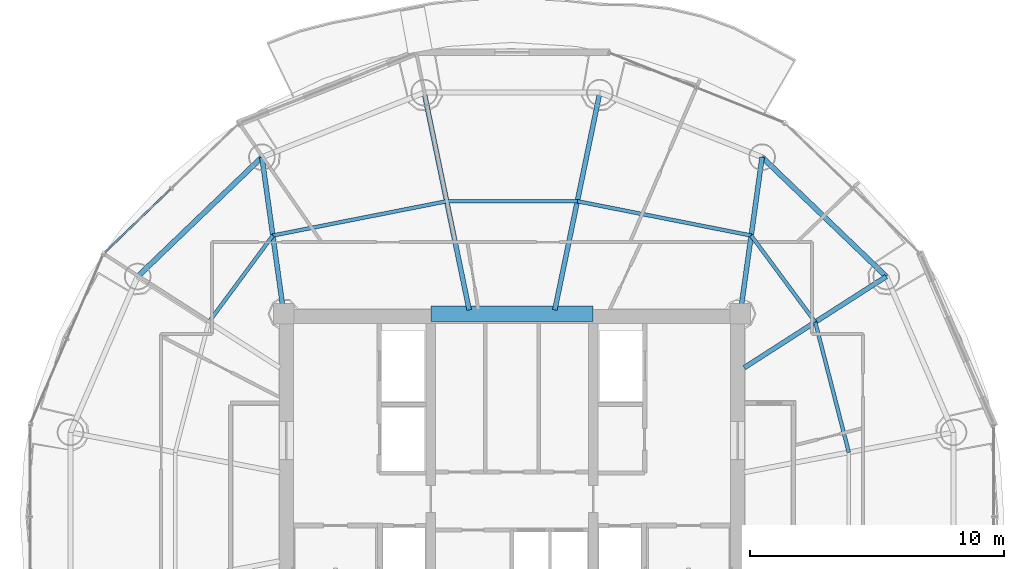
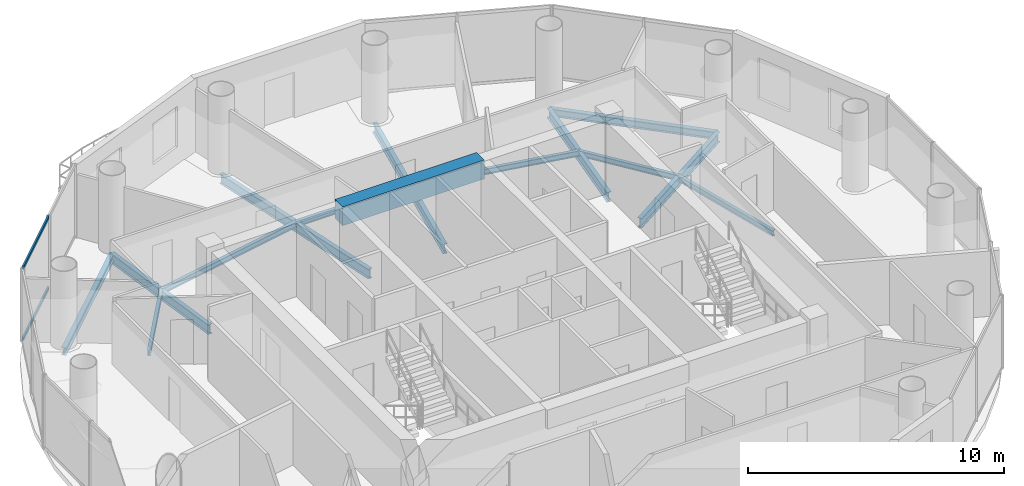
# One storey, part 9 of 23: 14 beams, 2 members, 1 element without a shape of its own.
"""IFC4 building model written with IfcOpenShell, lengths in metres."""

from ifc_helpers import new_model, si_unit, direction, frame, origin, origin_2d, place, context, subcontext, project, spatial, rectangle, hollow_rectangle, i_section, extrude, source, transform, mapped, material, material_profile, profile_set, type_object, element, aggregate, save


model = new_model("IFC4")

# Units and contexts
model_context = context("Model", 3, precision=1e-05, world=origin(), true_north=direction((-0.2419218956, 0.970295726276)))
body_context = subcontext(model_context, "Body", "Model", "MODEL_VIEW")
ifc_project = project(units=[si_unit("LENGTHUNIT", "METRE"), si_unit("AREAUNIT", "SQUARE_METRE"), si_unit("VOLUMEUNIT", "CUBIC_METRE"), si_unit("PLANEANGLEUNIT", "RADIAN"), si_unit("MASSUNIT", "GRAM", prefix="KILO")], contexts=[model_context])

# Site, building, storey
site_placement = place(None, origin())
site = spatial("IfcSite", under=ifc_project, at=site_placement, CompositionType="ELEMENT")
building_placement = place(site_placement, origin())
building = spatial("IfcBuilding", under=site, at=building_placement, Name="Cobrevalo Terracotta Tower", CompositionType="ELEMENT")
storey_placement = place(building_placement, frame((0.0, 0.0, 251.949951171875)))
storey = spatial("IfcBuildingStorey", under=building, at=storey_placement, Name="L66", CompositionType="ELEMENT", Elevation=251.949951171875)

# Beams
ifc_material_1 = material(Name="Concrete C60", Category="concrete")
ifc_material_profile_1 = material_profile(ifc_material_1, rectangle(XDim=0.60009765625, YDim=0.89990234375, at=origin_2d()), Name="RC CB 600x900")
ifc_profile_set_1 = profile_set([ifc_material_profile_1], Name="Concrete C60")
beam_type_1 = type_object("IfcBeamType", Name="Structural Beam RC CB 600x900 (Concrete C60)", PredefinedType="BEAM", material=ifc_profile_set_1)
beam_1_placement = place(storey_placement, frame((34.800048828125, 34.800048828125, 3.0400390625), z_axis=(1.0, 0.0, 0.0), x_axis=(0.0, 1.0, 0.0)))
element("IfcBeam", 1, at=beam_1_placement, inside=storey, type_object=beam_type_1, Name="L66 core coupling beam 2", PredefinedType="BEAM", context=body_context, shape_type="SweptSolid", body=[
    extrude(rectangle(XDim=0.60009765625, YDim=0.89990234375, at=origin_2d()), origin(), (0.0, 0.0, 1.0), 6.39990234375),
])
ifc_material_2 = material(Name="Steel S355", Category="steel")
ifc_material_profile_2 = material_profile(ifc_material_2, i_section(OverallWidth=0.19091796875, OverallDepth=0.4599609375, WebThickness=0.010009765625, FlangeThickness=0.01611328125, at=origin_2d()), Name="W 460x82")
ifc_profile_set_2 = profile_set([ifc_material_profile_2], Name="Steel S355")
beam_type_2 = type_object("IfcBeamType", Name="Structural Beam W 460x82 (Steel S355)", PredefinedType="BEAM", material=ifc_profile_set_2)
beam_2_placement = place(storey_placement, frame((52.758544921875, 36.2724609375, -0.489990234375), z_axis=(-0.84157615512, -0.540138477739, 0.0), x_axis=(0.540138477739, -0.84157615512, 0.0)))
element("IfcBeam", 2, at=beam_2_placement, inside=storey, type_object=beam_type_2, Name="L66 radial floor girder 02", PredefinedType="BEAM", context=body_context, shape_type="SweptSolid", body=[
    extrude(i_section(OverallWidth=0.19091796875, OverallDepth=0.4599609375, WebThickness=0.010009765625, FlangeThickness=0.01611328125, at=origin_2d()), origin(), (0.0, 0.0, 1.0), 6.658447265625),
])
beam_3_placement = place(storey_placement, frame((47.861328125, 40.9765625, -0.489990234375), z_axis=(-0.138115657759, -0.990416107039, 0.0), x_axis=(0.990416107039, -0.138115657759, 0.0)))
element("IfcBeam", 3, at=beam_3_placement, inside=storey, type_object=beam_type_2, Name="L66 radial floor girder 03", PredefinedType="BEAM", context=body_context, shape_type="SweptSolid", body=[
    extrude(i_section(OverallWidth=0.19091796875, OverallDepth=0.4599609375, WebThickness=0.010009765625, FlangeThickness=0.01611328125, at=origin_2d()), origin(), (0.0, 0.0, 1.0), 6.236328125),
])
for number, where, z_axis, x_axis, name in (
    (4, (41.462890625, 43.5224609375, -0.489990234375), (-0.202781841237, -0.9792239401, 0.0), (0.9792239401, -0.202781841237, 0.0), "L66 radial floor girder 04"),
    (5, (34.537109375, 43.5224609375, -0.489990234375), (0.202781841237, -0.9792239401, 0.0), (0.9792239401, 0.202781841237, 0.0), "L66 radial floor girder 05"),
):
    element("IfcBeam", number, at=place(storey_placement, frame(where, z_axis=z_axis, x_axis=x_axis)), inside=storey, type_object=beam_type_2, Name=name, PredefinedType="BEAM", context=body_context, shape_type="SweptSolid", body=[
        extrude(i_section(OverallWidth=0.19091796875, OverallDepth=0.4599609375, WebThickness=0.010009765625, FlangeThickness=0.01611328125, at=origin_2d()), origin(), (0.0, 0.0, 1.0), 8.749267578125),
    ])
beam_4_placement = place(storey_placement, frame((28.138671875, 40.9765625, -0.489990234375), z_axis=(0.138115657759, -0.990416107039, 0.0), x_axis=(0.990416107039, 0.138115657759, 0.0)))
element("IfcBeam", 6, at=beam_4_placement, inside=storey, type_object=beam_type_2, Name="L66 radial floor girder 06", PredefinedType="BEAM", context=body_context, shape_type="SweptSolid", body=[
    extrude(i_section(OverallWidth=0.19091796875, OverallDepth=0.4599609375, WebThickness=0.010009765625, FlangeThickness=0.01611328125, at=origin_2d()), origin(), (0.0, 0.0, 1.0), 6.236328125),
])
ifc_material_profile_3 = material_profile(ifc_material_2, i_section(OverallWidth=0.14794921875, OverallDepth=0.26611328125, WebThickness=0.007568359375, FlangeThickness=0.012939453125, at=origin_2d()), Name="W 250x44.8")
ifc_profile_set_3 = profile_set([ifc_material_profile_3], Name="Steel S355")
beam_type_3 = type_object("IfcBeamType", Name="Structural Joist W 250x44.8 (Steel S355)", PredefinedType="JOIST", material=ifc_profile_set_3)
beam_5_placement = place(storey_placement, frame((51.281982421875, 29.337646484375, -0.39306640625), z_axis=(-0.249816773293, 0.968293126993, 0.0), x_axis=(-0.968293126993, -0.249816773293, 0.0)))
element("IfcBeam", 7, at=beam_5_placement, inside=storey, type_object=beam_type_3, Name="L66 circumferential secondary floor joist 01", PredefinedType="JOIST", context=body_context, shape_type="SweptSolid", body=[
    extrude(i_section(OverallWidth=0.14794921875, OverallDepth=0.26611328125, WebThickness=0.007568359375, FlangeThickness=0.012939453125, at=origin_2d()), origin(), (0.0, 0.0, 1.0), 5.3046875),
])
beam_6_placement = place(storey_placement, frame((49.956787109375, 34.47412109375, -0.39306640625), z_axis=(-0.594799916617, 0.803873783123, 0.0), x_axis=(-0.803873783123, -0.594799916617, 0.0)))
element("IfcBeam", 8, at=beam_6_placement, inside=storey, type_object=beam_type_3, Name="L66 circumferential secondary floor joist 02", PredefinedType="JOIST", context=body_context, shape_type="SweptSolid", body=[
    extrude(i_section(OverallWidth=0.14794921875, OverallDepth=0.26611328125, WebThickness=0.007568359375, FlangeThickness=0.012939453125, at=origin_2d()), origin(), (0.0, 0.0, 1.0), 4.2470703125),
])
beam_7_placement = place(storey_placement, frame((47.4306640625, 37.88818359375, -0.39306640625), z_axis=(-0.98113843359, 0.19330642548, 0.0), x_axis=(-0.19330642548, -0.98113843359, 0.0)))
element("IfcBeam", 9, at=beam_7_placement, inside=storey, type_object=beam_type_3, Name="L66 circumferential secondary floor joist 03", PredefinedType="JOIST", context=body_context, shape_type="SweptSolid", body=[
    extrude(i_section(OverallWidth=0.14794921875, OverallDepth=0.26611328125, WebThickness=0.007568359375, FlangeThickness=0.012939453125, at=origin_2d()), origin(), (0.0, 0.0, 1.0), 6.98681640625),
])
beam_8_placement = place(storey_placement, frame((40.57568359375, 39.23876953125, -0.39306640625), z_axis=(-1.0, 0.0, 0.0), x_axis=(0.0, -1.0, 0.0)))
element("IfcBeam", 10, at=beam_8_placement, inside=storey, type_object=beam_type_3, Name="L66 circumferential secondary floor joist 04", PredefinedType="JOIST", context=body_context, shape_type="SweptSolid", body=[
    extrude(i_section(OverallWidth=0.14794921875, OverallDepth=0.26611328125, WebThickness=0.007568359375, FlangeThickness=0.012939453125, at=origin_2d()), origin(), (0.0, 0.0, 1.0), 5.1513671875),
])
beam_9_placement = place(storey_placement, frame((35.42431640625, 39.23876953125, -0.39306640625), z_axis=(-0.98113843359, -0.19330642548, 0.0), x_axis=(0.19330642548, -0.98113843359, 0.0)))
element("IfcBeam", 11, at=beam_9_placement, inside=storey, type_object=beam_type_3, Name="L66 circumferential secondary floor joist 05", PredefinedType="JOIST", context=body_context, shape_type="SweptSolid", body=[
    extrude(i_section(OverallWidth=0.14794921875, OverallDepth=0.26611328125, WebThickness=0.007568359375, FlangeThickness=0.012939453125, at=origin_2d()), origin(), (0.0, 0.0, 1.0), 6.98681640625),
])
beam_10_placement = place(storey_placement, frame((28.5693359375, 37.88818359375, -0.39306640625), z_axis=(-0.594799916617, -0.803873783123, 0.0), x_axis=(0.803873783123, -0.594799916617, 0.0)))
element("IfcBeam", 12, at=beam_10_placement, inside=storey, type_object=beam_type_3, Name="L66 circumferential secondary floor joist 06", PredefinedType="JOIST", context=body_context, shape_type="SweptSolid", body=[
    extrude(i_section(OverallWidth=0.14794921875, OverallDepth=0.26611328125, WebThickness=0.007568359375, FlangeThickness=0.012939453125, at=origin_2d()), origin(), (0.0, 0.0, 1.0), 4.2470703125),
])
ifc_material_profile_4 = material_profile(ifc_material_2, i_section(OverallWidth=0.205078125, OverallDepth=0.35400390625, WebThickness=0.009521484375, FlangeThickness=0.016845703125, at=origin_2d()), Name="W 360x79")
ifc_profile_set_4 = profile_set([ifc_material_profile_4], Name="Steel S355")
beam_type_4 = type_object("IfcBeamType", Name="Structural Spandrel W 360x79 (Steel S355)", PredefinedType="SPANDREL", material=ifc_profile_set_4)
for number, where, z_axis, x_axis, name in (
    (13, (52.758544921875, 36.2724609375, -0.43701171875), (-0.721183246144, 0.692744343522, 0.0), (-0.692744343522, -0.721183246144, 0.0), "L66 perimeter ring spandrel 02"),
    (14, (28.138671875, 40.9765625, -0.43701171875), (-0.721183246144, -0.692744343522, 0.0), (0.692744343522, -0.721183246144, 0.0), "L66 perimeter ring spandrel 06"),
):
    element("IfcBeam", number, at=place(storey_placement, frame(where, z_axis=z_axis, x_axis=x_axis)), inside=storey, type_object=beam_type_4, Name=name, PredefinedType="SPANDREL", context=body_context, shape_type="SweptSolid", body=[
        extrude(i_section(OverallWidth=0.205078125, OverallDepth=0.35400390625, WebThickness=0.009521484375, FlangeThickness=0.016845703125, at=origin_2d()), origin(), (0.0, 0.0, 1.0), 6.79052734375),
    ])

# Curtain wall, members
ifc_material_3 = material(Name="Anodized aluminium", Category="aluminium")
curtain_wall_type = type_object("IfcCurtainWallType", Name="Upper-tower triple-glazed penthouse curtain wall CW-U3", PredefinedType="NOTDEFINED", material=ifc_material_3)
curtain_wall_placement = place(storey_placement, origin())
curtain_wall = element("IfcCurtainWall", 15, at=curtain_wall_placement, inside=storey, type_object=curtain_wall_type, Name="L66 curtain wall CW-L66-S06", PredefinedType="NOTDEFINED")
ifc_material_profile_5 = material_profile(ifc_material_3, hollow_rectangle(XDim=0.074951171875, YDim=0.14990234375, WallThickness=0.00439453125, at=origin_2d()), Name="CWT 75x150")
ifc_profile_set_5 = profile_set([ifc_material_profile_5], Name="Anodized aluminium")
member_type = type_object("IfcMemberType", Name="Tower unitised aluminium transom 75x150", PredefinedType="USERDEFINED", material=ifc_profile_set_5)
shared_shape = source(origin(), body_context, "Body", "SweptSolid", [
    extrude(hollow_rectangle(XDim=0.074951171875, YDim=0.14990234375, WallThickness=0.00439453125, at=origin_2d()), origin(), (0.0, 0.0, 1.0), 3.59130859375),
])
member_1_placement = place(storey_placement, frame((24.537841796875, 39.72021484375, 0.050048828125), z_axis=(-0.720005628362, -0.693968223427, 0.0), x_axis=(0.693968223427, -0.720005628362, 0.0)))
member_1 = element("IfcMember", 16, at=member_1_placement, type_object=member_type, Name="CW-L66-S06 transom B02-T1", ObjectType="TRANSOM", PredefinedType="USERDEFINED", context=body_context, shape_type="MappedRepresentation", body=[
    mapped(shared_shape, transform((0.0, 0.0, 0.0), scale=1.0)),
])
member_2_placement = place(storey_placement, frame((24.537841796875, 39.72021484375, 3.43994140625), z_axis=(-0.720005628362, -0.693968223427, 0.0), x_axis=(0.693968223427, -0.720005628362, 0.0)))
member_2 = element("IfcMember", 17, at=member_2_placement, type_object=member_type, Name="CW-L66-S06 transom B02-T2", ObjectType="TRANSOM", PredefinedType="USERDEFINED", context=body_context, shape_type="MappedRepresentation", body=[
    mapped(shared_shape, transform((0.0, 0.0, 0.0), scale=1.0)),
])
aggregate(curtain_wall, [member_1, member_2])

save(model, "model.ifc")
